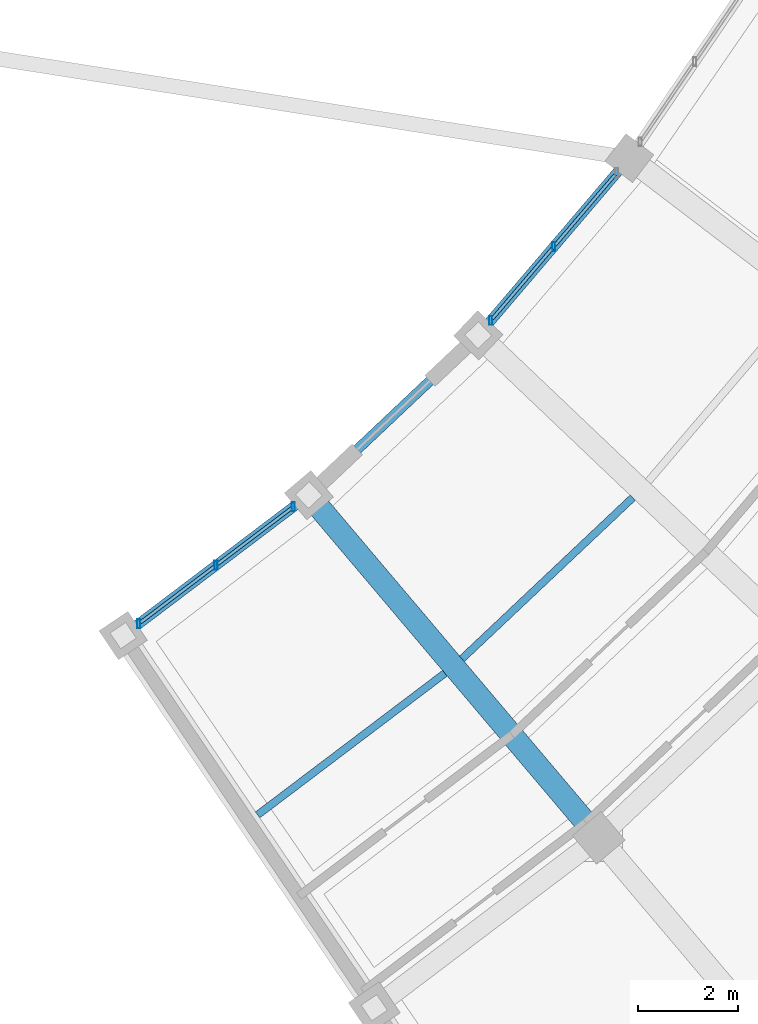
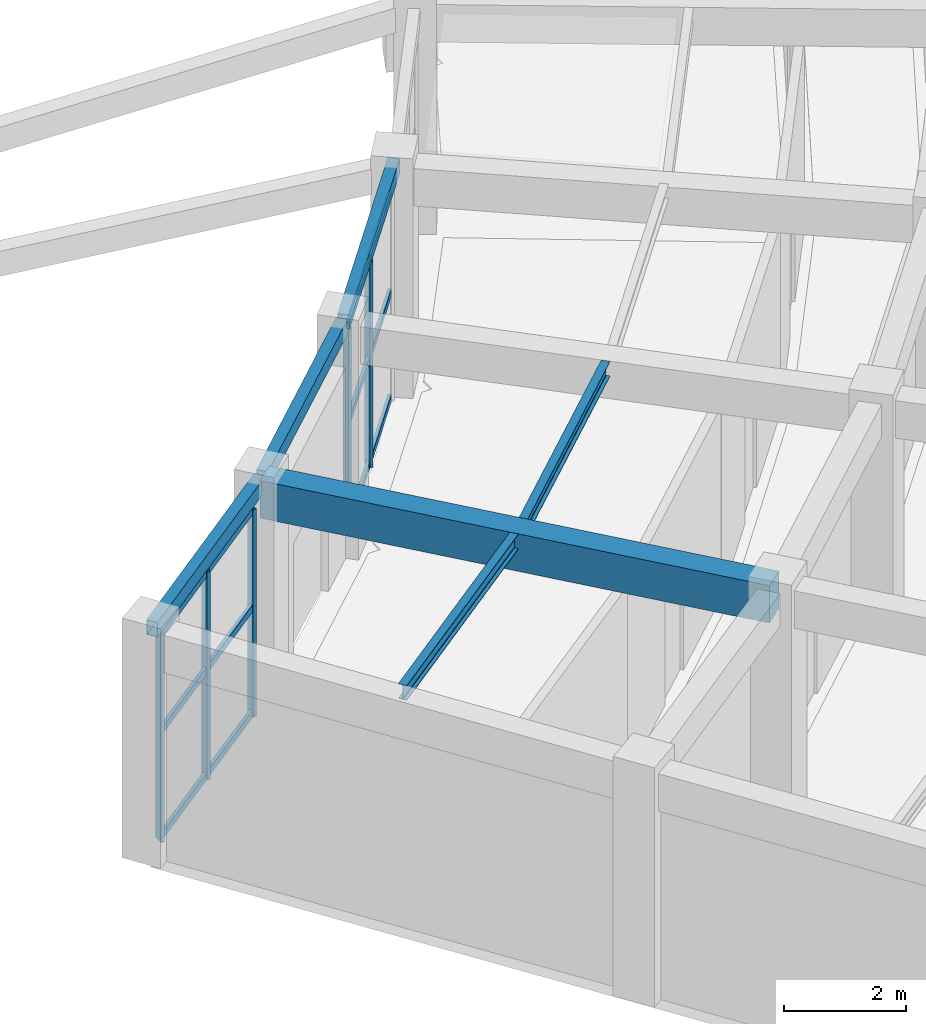
# One storey, part 60 of 108: 17 members, 6 beams, 2 elements without a shape of their own.
"""IFC4 building model written with IfcOpenShell, lengths in metres."""

from ifc_helpers import new_model, si_unit, direction, frame, origin, origin_2d, place, context, subcontext, project, spatial, rectangle, hollow_rectangle, i_section, extrude, material, material_profile, profile_set, type_object, element, aggregate, save


model = new_model("IFC4")

# Units and contexts
model_context = context("Model", 3, precision=1e-05, world=origin(), true_north=direction((0.0, 1.0)))
body_context = subcontext(model_context, "Body", "Model", "MODEL_VIEW")
ifc_project = project(units=[si_unit("LENGTHUNIT", "METRE"), si_unit("AREAUNIT", "SQUARE_METRE"), si_unit("VOLUMEUNIT", "CUBIC_METRE"), si_unit("PLANEANGLEUNIT", "RADIAN"), si_unit("MASSUNIT", "GRAM", prefix="KILO")], contexts=[model_context])

# Site, building, storey
site_placement = place(None, origin())
site = spatial("IfcSite", under=ifc_project, at=site_placement, CompositionType="ELEMENT")
building_placement = place(site_placement, origin())
building = spatial("IfcBuilding", under=site, at=building_placement, Name="Tarnveldt Headland Concert Hall", CompositionType="ELEMENT")
storey_placement = place(building_placement, origin())
storey = spatial("IfcBuildingStorey", under=building, at=storey_placement, Name="L00", CompositionType="ELEMENT", Elevation=0.0)

# Beam
ifc_material_1 = material(Name="Concrete C40/50", Category="concrete")
ifc_material_profile_1 = material_profile(ifc_material_1, rectangle(XDim=0.449951171875, YDim=0.75, at=origin_2d()), Name="RC 450x750", Category="concrete")
ifc_profile_set_1 = profile_set([ifc_material_profile_1], Name="Concrete C40/50")
beam_type_1 = type_object("IfcBeamType", Name="CB-450x750", PredefinedType="BEAM", material=ifc_profile_set_1)
beam_1_placement = place(storey_placement, frame((145.30615234375, 27.12158203125, 4.215087890625), z_axis=(0.645759819996, -0.763540604604, 0.0), x_axis=(0.763540604604, 0.645759819996, 0.0)))
element("IfcBeam", 1, at=beam_1_placement, inside=storey, type_object=beam_type_1, Name="Framing beam L00-431", PredefinedType="BEAM", context=body_context, shape_type="SweptSolid", body=[
    extrude(rectangle(XDim=0.449951171875, YDim=0.75, at=origin_2d()), origin(), (0.0, 0.0, 1.0), 8.880126953125),
])

# Curtain wall, members
ifc_material_2 = material(Name="Marine-anodised aluminium EN AW-6063-T6", Category="aluminium")
curtain_wall_type = type_object("IfcCurtainWallType", Name="CW-C1", PredefinedType="NOTDEFINED", material=ifc_material_2)
curtain_wall_1_placement = place(storey_placement, origin())
curtain_wall_1 = element("IfcCurtainWall", 2, at=curtain_wall_1_placement, inside=storey, type_object=curtain_wall_type, Name="Curtain wall CW-L00-095", PredefinedType="NOTDEFINED")
ifc_material_profile_2 = material_profile(ifc_material_2, hollow_rectangle(XDim=0.06494140625, YDim=0.179931640625, WallThickness=0.00390625, at=origin_2d()), Name="ALU MULLION 65x180x4", Category="aluminium")
ifc_profile_set_2 = profile_set([ifc_material_profile_2], Name="Marine-anodised aluminium EN AW-6063-T6")
member_type_1 = type_object("IfcMemberType", Name="ML-180", PredefinedType="MULLION", material=ifc_profile_set_2)
member_1_placement = place(storey_placement, frame((141.856201171875, 24.586669921875, 0.0), z_axis=(0.0, 0.0, 1.0), x_axis=(1.0, 0.0, 0.0)))
member_1 = element("IfcMember", 3, at=member_1_placement, type_object=member_type_1, Name="Mullion CW-L00-095-1", PredefinedType="MULLION", context=body_context, shape_type="SweptSolid", body=[
    extrude(hollow_rectangle(XDim=0.06494140625, YDim=0.179931640625, WallThickness=0.00390625, at=origin_2d()), origin(), (0.0, 0.0, 1.0), 4.159912109375),
])
member_2_placement = place(storey_placement, frame((143.406494140625, 25.759521484375, 0.0), z_axis=(0.0, 0.0, 1.0), x_axis=(1.0, 0.0, 0.0)))
member_2 = element("IfcMember", 4, at=member_2_placement, type_object=member_type_1, Name="Mullion CW-L00-095-2", PredefinedType="MULLION", context=body_context, shape_type="SweptSolid", body=[
    extrude(hollow_rectangle(XDim=0.06494140625, YDim=0.179931640625, WallThickness=0.00390625, at=origin_2d()), origin(), (0.0, 0.0, 1.0), 4.159912109375),
])
member_3_placement = place(storey_placement, frame((144.956298828125, 26.93212890625, 0.0), z_axis=(0.0, 0.0, 1.0), x_axis=(1.0, 0.0, 0.0)))
member_3 = element("IfcMember", 5, at=member_3_placement, type_object=member_type_1, Name="Mullion CW-L00-095-3", PredefinedType="MULLION", context=body_context, shape_type="SweptSolid", body=[
    extrude(hollow_rectangle(XDim=0.06494140625, YDim=0.179931640625, WallThickness=0.00390625, at=origin_2d()), origin(), (0.0, 0.0, 1.0), 4.159912109375),
])

curtain_wall_2_placement = place(storey_placement, origin())
curtain_wall_2 = element("IfcCurtainWall", 6, at=curtain_wall_2_placement, inside=storey, type_object=curtain_wall_type, Name="Curtain wall CW-L00-096", PredefinedType="NOTDEFINED")
member_4_placement = place(storey_placement, frame((148.915283203125, 30.667236328125, 0.0), z_axis=(0.0, 0.0, 1.0), x_axis=(1.0, 0.0, 0.0)))
member_4 = element("IfcMember", 7, at=member_4_placement, type_object=member_type_1, Name="Mullion CW-L00-096-1", PredefinedType="MULLION", context=body_context, shape_type="SweptSolid", body=[
    extrude(hollow_rectangle(XDim=0.06494140625, YDim=0.179931640625, WallThickness=0.00390625, at=origin_2d()), origin(), (0.0, 0.0, 1.0), 4.159912109375),
])
member_5_placement = place(storey_placement, frame((150.17626953125, 32.146484375, 0.0), z_axis=(0.0, 0.0, 1.0), x_axis=(1.0, 0.0, 0.0)))
member_5 = element("IfcMember", 8, at=member_5_placement, type_object=member_type_1, Name="Mullion CW-L00-096-2", PredefinedType="MULLION", context=body_context, shape_type="SweptSolid", body=[
    extrude(hollow_rectangle(XDim=0.06494140625, YDim=0.179931640625, WallThickness=0.00390625, at=origin_2d()), origin(), (0.0, 0.0, 1.0), 4.159912109375),
])

# Beams
ifc_material_3 = material(Name="Steel S355", Category="steel")
ifc_material_profile_3 = material_profile(ifc_material_3, i_section(OverallWidth=0.14990234375, OverallDepth=0.300048828125, WebThickness=0.007080078125, FlangeThickness=0.0107421875, FilletRadius=0.014892578125, at=origin_2d()), Name="IPE300", Category="steel")
ifc_profile_set_3 = profile_set([ifc_material_profile_3], Name="Steel S355")
beam_type_2 = type_object("IfcBeamType", Name="SB-IPE300", PredefinedType="JOIST", material=ifc_profile_set_3)
beam_2_placement = place(storey_placement, frame((144.2412109375, 20.756591796875, 4.43994140625), z_axis=(0.797483973643, 0.603340129432, 0.0), x_axis=(-0.603340129432, 0.797483973643, 0.0)))
element("IfcBeam", 9, at=beam_2_placement, inside=storey, type_object=beam_type_2, Name="Framing beam L00-429", PredefinedType="JOIST", context=body_context, shape_type="SweptSolid", body=[
    extrude(i_section(OverallWidth=0.14990234375, OverallDepth=0.300048828125, WebThickness=0.007080078125, FlangeThickness=0.0107421875, FilletRadius=0.014892578125, at=origin_2d()), origin(), (0.0, 0.0, 1.0), 4.70556640625),
])
beam_3_placement = place(storey_placement, frame((148.3369140625, 23.885986328125, 4.43994140625), z_axis=(0.727377040492, 0.686238035207, 0.0), x_axis=(-0.686238035207, 0.727377040492, 0.0)))
element("IfcBeam", 10, at=beam_3_placement, inside=storey, type_object=beam_type_2, Name="Framing beam L00-436", PredefinedType="JOIST", context=body_context, shape_type="SweptSolid", body=[
    extrude(i_section(OverallWidth=0.14990234375, OverallDepth=0.300048828125, WebThickness=0.007080078125, FlangeThickness=0.0107421875, FilletRadius=0.014892578125, at=origin_2d()), origin(), (0.0, 0.0, 1.0), 4.7060546875),
])
ifc_material_profile_4 = material_profile(ifc_material_3, hollow_rectangle(XDim=0.199951171875, YDim=0.300048828125, WallThickness=0.012451171875, at=origin_2d()), Name="RHS 300x200x12.5", Category="steel")
ifc_profile_set_4 = profile_set([ifc_material_profile_4], Name="Steel S355")
beam_type_3 = type_object("IfcBeamType", Name="SB-RHS300", PredefinedType="SPANDREL", material=ifc_profile_set_4)
beam_4_placement = place(storey_placement, frame((141.593017578125, 24.3876953125, 4.43994140625), z_axis=(0.797480390637, 0.603344865355, 0.0), x_axis=(-0.603344865355, 0.797480390637, 0.0)))
element("IfcBeam", 11, at=beam_4_placement, inside=storey, type_object=beam_type_3, Name="Framing beam L00-426", PredefinedType="SPANDREL", context=body_context, shape_type="SweptSolid", body=[
    extrude(hollow_rectangle(XDim=0.199951171875, YDim=0.300048828125, WallThickness=0.012451171875, at=origin_2d()), origin(), (0.0, 0.0, 1.0), 4.54736328125),
])
beam_5_placement = place(storey_placement, frame((145.31103515625, 27.208740234375, 4.43994140625), z_axis=(0.72739567497, 0.686218283081, 0.0), x_axis=(-0.686218283081, 0.72739567497, 0.0)))
element("IfcBeam", 12, at=beam_5_placement, inside=storey, type_object=beam_type_3, Name="Framing beam L00-433", PredefinedType="SPANDREL", context=body_context, shape_type="SweptSolid", body=[
    extrude(hollow_rectangle(XDim=0.199951171875, YDim=0.300048828125, WallThickness=0.012451171875, at=origin_2d()), origin(), (0.0, 0.0, 1.0), 4.547607421875),
])
beam_6_placement = place(storey_placement, frame((148.701416015625, 30.416259765625, 4.43994140625), z_axis=(0.648715315983, 0.761031168093, 0.0), x_axis=(-0.761031168093, 0.648715315983, 0.0)))
element("IfcBeam", 13, at=beam_6_placement, inside=storey, type_object=beam_type_3, Name="Framing beam L00-440", PredefinedType="SPANDREL", context=body_context, shape_type="SweptSolid", body=[
    extrude(hollow_rectangle(XDim=0.199951171875, YDim=0.300048828125, WallThickness=0.012451171875, at=origin_2d()), origin(), (0.0, 0.0, 1.0), 4.54736328125),
])

# Member
ifc_material_profile_5 = material_profile(ifc_material_2, hollow_rectangle(XDim=0.06494140625, YDim=0.139892578125, WallThickness=0.00390625, at=origin_2d()), Name="ALU TRANSOM 65x140x4", Category="aluminium")
ifc_profile_set_5 = profile_set([ifc_material_profile_5], Name="Marine-anodised aluminium EN AW-6063-T6")
member_type_2 = type_object("IfcMemberType", Name="TR-140", PredefinedType="MEMBER", material=ifc_profile_set_5)
member_6_placement = place(storey_placement, frame((141.891845703125, 24.613525390625, 0.050048828125), z_axis=(0.797433775242, 0.603406475026, 0.0), x_axis=(-0.603406475026, 0.797433775242, 0.0)))
member_6 = element("IfcMember", 14, at=member_6_placement, type_object=member_type_2, Name="Transom CW-L00-095-1-1", PredefinedType="MEMBER", context=body_context, shape_type="SweptSolid", body=[
    extrude(hollow_rectangle(XDim=0.06494140625, YDim=0.139892578125, WallThickness=0.00390625, at=origin_2d()), origin(), (0.0, 0.0, 1.0), 1.854736328125),
])

member_7_placement = place(storey_placement, frame((141.891845703125, 24.613525390625, 2.1630859375), z_axis=(0.797433775242, 0.603406475026, 0.0), x_axis=(-0.603406475026, 0.797433775242, 0.0)))
member_7 = element("IfcMember", 15, at=member_7_placement, type_object=member_type_2, Name="Transom CW-L00-095-1-2", PredefinedType="MEMBER", context=body_context, shape_type="SweptSolid", body=[
    extrude(hollow_rectangle(XDim=0.06494140625, YDim=0.139892578125, WallThickness=0.00390625, at=origin_2d()), origin(), (0.0, 0.0, 1.0), 1.854736328125),
])

member_8_placement = place(storey_placement, frame((141.891845703125, 24.613525390625, 4.110107421875), z_axis=(0.797433775242, 0.603406475026, 0.0), x_axis=(-0.603406475026, 0.797433775242, 0.0)))
member_8 = element("IfcMember", 16, at=member_8_placement, type_object=member_type_2, Name="Transom CW-L00-095-1-3", PredefinedType="MEMBER", context=body_context, shape_type="SweptSolid", body=[
    extrude(hollow_rectangle(XDim=0.06494140625, YDim=0.139892578125, WallThickness=0.00390625, at=origin_2d()), origin(), (0.0, 0.0, 1.0), 1.854736328125),
])

member_9_placement = place(storey_placement, frame((143.44189453125, 25.786376953125, 0.050048828125), z_axis=(0.797433775242, 0.603406475026, 0.0), x_axis=(-0.603406475026, 0.797433775242, 0.0)))
member_9 = element("IfcMember", 17, at=member_9_placement, type_object=member_type_2, Name="Transom CW-L00-095-2-1", PredefinedType="MEMBER", context=body_context, shape_type="SweptSolid", body=[
    extrude(hollow_rectangle(XDim=0.06494140625, YDim=0.139892578125, WallThickness=0.00390625, at=origin_2d()), origin(), (0.0, 0.0, 1.0), 1.854736328125),
])

member_10_placement = place(storey_placement, frame((143.44189453125, 25.786376953125, 2.1630859375), z_axis=(0.797433775242, 0.603406475026, 0.0), x_axis=(-0.603406475026, 0.797433775242, 0.0)))
member_10 = element("IfcMember", 18, at=member_10_placement, type_object=member_type_2, Name="Transom CW-L00-095-2-2", PredefinedType="MEMBER", context=body_context, shape_type="SweptSolid", body=[
    extrude(hollow_rectangle(XDim=0.06494140625, YDim=0.139892578125, WallThickness=0.00390625, at=origin_2d()), origin(), (0.0, 0.0, 1.0), 1.854736328125),
])

member_11_placement = place(storey_placement, frame((143.44189453125, 25.786376953125, 4.110107421875), z_axis=(0.797433775242, 0.603406475026, 0.0), x_axis=(-0.603406475026, 0.797433775242, 0.0)))
member_11 = element("IfcMember", 19, at=member_11_placement, type_object=member_type_2, Name="Transom CW-L00-095-2-3", PredefinedType="MEMBER", context=body_context, shape_type="SweptSolid", body=[
    extrude(hollow_rectangle(XDim=0.06494140625, YDim=0.139892578125, WallThickness=0.00390625, at=origin_2d()), origin(), (0.0, 0.0, 1.0), 1.854736328125),
])

aggregate(curtain_wall_1, [member_1, member_2, member_3, member_6, member_7, member_8, member_9, member_10, member_11])

member_12_placement = place(storey_placement, frame((148.9443359375, 30.701171875, 0.050048828125), z_axis=(0.648664190045, 0.761074745707, 0.0), x_axis=(-0.761074745707, 0.648664190045, 0.0)))
member_12 = element("IfcMember", 20, at=member_12_placement, type_object=member_type_2, Name="Transom CW-L00-096-1-1", PredefinedType="MEMBER", context=body_context, shape_type="SweptSolid", body=[
    extrude(hollow_rectangle(XDim=0.06494140625, YDim=0.139892578125, WallThickness=0.00390625, at=origin_2d()), origin(), (0.0, 0.0, 1.0), 1.854736328125),
])

member_13_placement = place(storey_placement, frame((148.9443359375, 30.701171875, 2.1630859375), z_axis=(0.648664190045, 0.761074745707, 0.0), x_axis=(-0.761074745707, 0.648664190045, 0.0)))
member_13 = element("IfcMember", 21, at=member_13_placement, type_object=member_type_2, Name="Transom CW-L00-096-1-2", PredefinedType="MEMBER", context=body_context, shape_type="SweptSolid", body=[
    extrude(hollow_rectangle(XDim=0.06494140625, YDim=0.139892578125, WallThickness=0.00390625, at=origin_2d()), origin(), (0.0, 0.0, 1.0), 1.854736328125),
])

member_14_placement = place(storey_placement, frame((148.9443359375, 30.701171875, 4.110107421875), z_axis=(0.648664190045, 0.761074745707, 0.0), x_axis=(-0.761074745707, 0.648664190045, 0.0)))
member_14 = element("IfcMember", 22, at=member_14_placement, type_object=member_type_2, Name="Transom CW-L00-096-1-3", PredefinedType="MEMBER", context=body_context, shape_type="SweptSolid", body=[
    extrude(hollow_rectangle(XDim=0.06494140625, YDim=0.139892578125, WallThickness=0.00390625, at=origin_2d()), origin(), (0.0, 0.0, 1.0), 1.854736328125),
])

member_15_placement = place(storey_placement, frame((150.205078125, 32.180419921875, 0.050048828125), z_axis=(0.648729176697, 0.761019352777, 0.0), x_axis=(-0.761019352777, 0.648729176697, 0.0)))
member_15 = element("IfcMember", 23, at=member_15_placement, type_object=member_type_2, Name="Transom CW-L00-096-2-1", PredefinedType="MEMBER", context=body_context, shape_type="SweptSolid", body=[
    extrude(hollow_rectangle(XDim=0.06494140625, YDim=0.139892578125, WallThickness=0.00390625, at=origin_2d()), origin(), (0.0, 0.0, 1.0), 1.8544921875),
])

member_16_placement = place(storey_placement, frame((150.205078125, 32.180419921875, 2.1630859375), z_axis=(0.648729176697, 0.761019352777, 0.0), x_axis=(-0.761019352777, 0.648729176697, 0.0)))
member_16 = element("IfcMember", 24, at=member_16_placement, type_object=member_type_2, Name="Transom CW-L00-096-2-2", PredefinedType="MEMBER", context=body_context, shape_type="SweptSolid", body=[
    extrude(hollow_rectangle(XDim=0.06494140625, YDim=0.139892578125, WallThickness=0.00390625, at=origin_2d()), origin(), (0.0, 0.0, 1.0), 1.8544921875),
])

member_17_placement = place(storey_placement, frame((150.205078125, 32.180419921875, 4.110107421875), z_axis=(0.648729176697, 0.761019352777, 0.0), x_axis=(-0.761019352777, 0.648729176697, 0.0)))
member_17 = element("IfcMember", 25, at=member_17_placement, type_object=member_type_2, Name="Transom CW-L00-096-2-3", PredefinedType="MEMBER", context=body_context, shape_type="SweptSolid", body=[
    extrude(hollow_rectangle(XDim=0.06494140625, YDim=0.139892578125, WallThickness=0.00390625, at=origin_2d()), origin(), (0.0, 0.0, 1.0), 1.8544921875),
])

aggregate(curtain_wall_2, [member_4, member_5, member_12, member_13, member_14, member_15, member_16, member_17])

save(model, "model.ifc")
